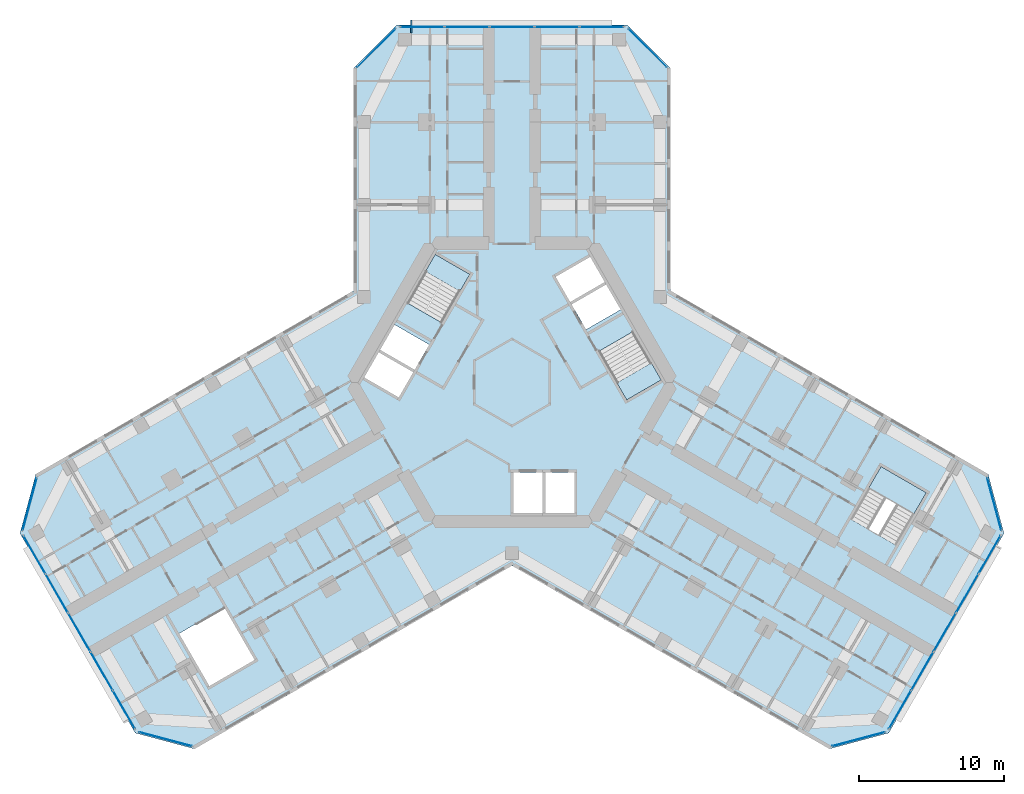
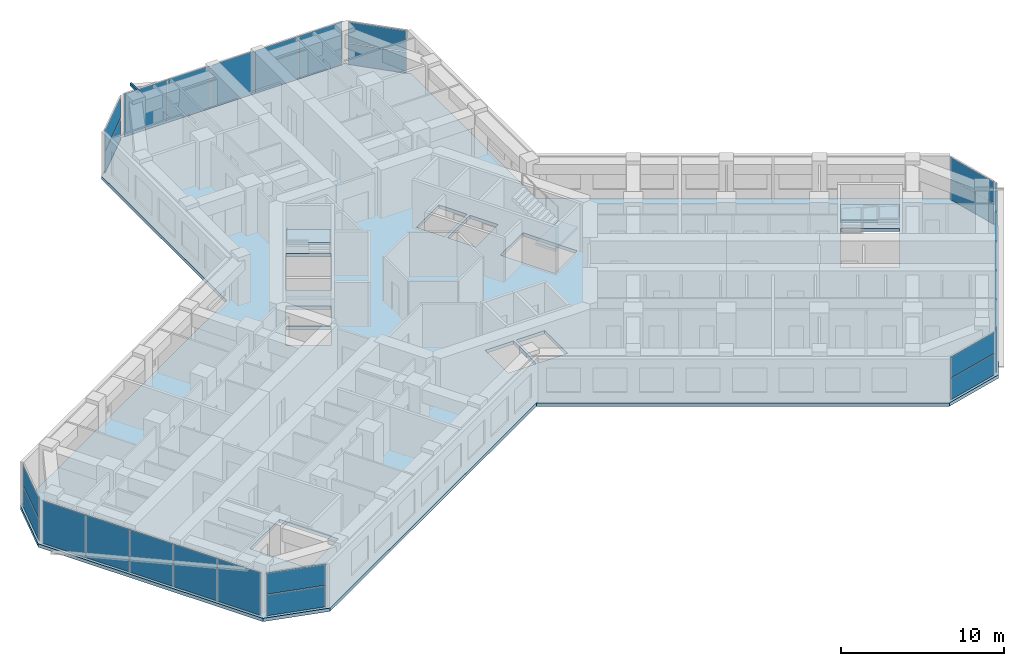
# One storey, part 9 of 20: 27 plates, 4 slabs, 1 member, 12 elements without a shape of their own.
"""IFC4 building model written with IfcOpenShell, lengths in metres."""

from ifc_helpers import new_model, si_unit, direction, frame, origin, origin_2d, place, context, subcontext, project, spatial, polyline, rectangle, hollow_rectangle, outline, extrude, material, layer, layer_set, material_profile, profile_set, type_object, element, aggregate, save


model = new_model("IFC4")

# Units and contexts
model_context = context("Model", 3, precision=1e-05, world=origin(), true_north=direction((0.0, 1.0)))
body_context = subcontext(model_context, "Body", "Model", "MODEL_VIEW")
ifc_project = project(units=[si_unit("LENGTHUNIT", "METRE"), si_unit("AREAUNIT", "SQUARE_METRE"), si_unit("VOLUMEUNIT", "CUBIC_METRE"), si_unit("PLANEANGLEUNIT", "RADIAN"), si_unit("MASSUNIT", "GRAM", prefix="KILO")], contexts=[model_context])

# Site, building, storey
site_placement = place(None, origin())
site = spatial("IfcSite", under=ifc_project, at=site_placement, CompositionType="ELEMENT")
building_placement = place(site_placement, origin())
building = spatial("IfcBuilding", under=site, at=building_placement, Name="Kosmar Iwan School Tower", CompositionType="ELEMENT")
storey_placement = place(building_placement, frame((0.0, 0.0, 183.199951171875)))
storey = spatial("IfcBuildingStorey", under=building, at=storey_placement, Name="L46", CompositionType="ELEMENT", Elevation=183.199951171875)

# Member
ifc_material_1 = material(Name="Steel S355", Category="steel")
ifc_material_profile = material_profile(ifc_material_1, hollow_rectangle(XDim=0.10009765625, YDim=0.199951171875, WallThickness=0.008056640625, at=origin_2d()), Name="RHS 200x100x8")
ifc_profile_set = profile_set([ifc_material_profile], Name="Steel S355")
member_type = type_object("IfcMemberType", Name="Fin bracket RHS 200x100", PredefinedType="USERDEFINED", material=ifc_profile_set)
member_placement = place(storey_placement, frame((-6.949951171875, 24.10009765625, 3.449951171875), z_axis=(0.0, 1.0, 0.0), x_axis=(-1.0, 0.0, 0.0)))
element("IfcMember", 1, at=member_placement, inside=storey, type_object=member_type, Name="Fin bracket L47", ObjectType="FIN BRACKET", PredefinedType="USERDEFINED", context=body_context, shape_type="SweptSolid", body=[
    extrude(hollow_rectangle(XDim=0.10009765625, YDim=0.199951171875, WallThickness=0.008056640625, at=origin_2d()), origin(), (0.0, 0.0, 1.0), 0.89990234375),
])

# Curtain wall, plates
ifc_material_2 = material(Name="Dark glass in black aluminium frame", Category="aluminium")
curtain_wall_type_1 = type_object("IfcCurtainWallType", Name="Chamfer curtain wall dark glass", PredefinedType="USERDEFINED", material=ifc_material_2)
curtain_wall_1_placement = place(storey_placement, origin())
curtain_wall_1 = element("IfcCurtainWall", 2, at=curtain_wall_1_placement, inside=storey, type_object=curtain_wall_type_1, Name="Curtain wall L46-F02", ObjectType="FACETED CURTAIN WALL", PredefinedType="USERDEFINED")
ifc_material_3 = material(Name="Dark glass", Category="glass")
ifc_layer_1 = layer(ifc_material_3, 0.028076171875)
ifc_layer_set_1 = layer_set([ifc_layer_1], Name="Dark glass panel 28")
plate_type = type_object("IfcPlateType", Name="Dark glass panel 28", PredefinedType="CURTAIN_PANEL", material=ifc_layer_set_1)
plate_1_placement = place(storey_placement, frame((23.908203125, -24.61328125, 0.06005859375), z_axis=(0.0, 0.0, 1.0), x_axis=(0.965925875495, 0.258818861462, 0.0)))
plate_1 = element("IfcPlate", 3, at=plate_1_placement, type_object=plate_type, Name="CW2 panel 1.1", PredefinedType="CURTAIN_PANEL", context=body_context, shape_type="SweptSolid", body=[
    extrude(rectangle(XDim=3.718994140625, YDim=0.028076171875, at=origin_2d()), origin(), (0.0, 0.0, 1.0), 1.56005859375),
])
plate_2_placement = place(storey_placement, frame((23.908203125, -24.61328125, 1.679931640625), z_axis=(0.0, 0.0, 1.0), x_axis=(0.965925875495, 0.258818861462, 0.0)))
plate_2 = element("IfcPlate", 4, at=plate_2_placement, type_object=plate_type, Name="CW2 panel 1.2", PredefinedType="CURTAIN_PANEL", context=body_context, shape_type="SweptSolid", body=[
    extrude(rectangle(XDim=3.718994140625, YDim=0.028076171875, at=origin_2d()), origin(), (0.0, 0.0, 1.0), 1.56005859375),
])
aggregate(curtain_wall_1, [plate_1, plate_2])

ifc_material_4 = material(Name="Dark glass in black aluminium frame", Category="aluminium")
curtain_wall_type_2 = type_object("IfcCurtainWallType", Name="Tower curtain wall dark glass", PredefinedType="USERDEFINED", material=ifc_material_4)
curtain_wall_2_placement = place(storey_placement, origin())
curtain_wall_2 = element("IfcCurtainWall", 5, at=curtain_wall_2_placement, inside=storey, type_object=curtain_wall_type_2, Name="Curtain wall L46-F03", ObjectType="UNITISED CURTAIN WALL", PredefinedType="USERDEFINED")
plate_3_placement = place(storey_placement, frame((26.764404296875, -22.592529296875, 0.06005859375), z_axis=(0.0, 0.0, 1.0), x_axis=(0.499999997325, 0.866025405329, 0.0)))
plate_3 = element("IfcPlate", 6, at=plate_3_placement, type_object=plate_type, Name="CW1 panel 1.1", PredefinedType="CURTAIN_PANEL", context=body_context, shape_type="SweptSolid", body=[
    extrude(rectangle(XDim=3.00927734375, YDim=0.028076171875, at=origin_2d()), origin(), (0.0, 0.0, 1.0), 3.179931640625),
])
plate_4_placement = place(storey_placement, frame((28.306640625, -19.921630859375, 0.06005859375), z_axis=(0.0, 0.0, 1.0), x_axis=(0.499999997325, 0.866025405329, 0.0)))
plate_4 = element("IfcPlate", 7, at=plate_4_placement, type_object=plate_type, Name="CW1 panel 2.1", PredefinedType="CURTAIN_PANEL", context=body_context, shape_type="SweptSolid", body=[
    extrude(rectangle(XDim=3.039306640625, YDim=0.028076171875, at=origin_2d()), origin(), (0.0, 0.0, 1.0), 3.179931640625),
])
plate_5_placement = place(storey_placement, frame((29.856201171875, -17.237548828125, 0.06005859375), z_axis=(0.0, 0.0, 1.0), x_axis=(0.499999997325, 0.866025405329, 0.0)))
plate_5 = element("IfcPlate", 8, at=plate_5_placement, type_object=plate_type, Name="CW1 panel 3.1", PredefinedType="CURTAIN_PANEL", context=body_context, shape_type="SweptSolid", body=[
    extrude(rectangle(XDim=3.039306640625, YDim=0.028076171875, at=origin_2d()), origin(), (0.0, 0.0, 1.0), 3.179931640625),
])
plate_6_placement = place(storey_placement, frame((31.40576171875, -14.553466796875, 0.06005859375), z_axis=(0.0, 0.0, 1.0), x_axis=(0.499999997325, 0.866025405329, 0.0)))
plate_6 = element("IfcPlate", 9, at=plate_6_placement, type_object=plate_type, Name="CW1 panel 4.1", PredefinedType="CURTAIN_PANEL", context=body_context, shape_type="SweptSolid", body=[
    extrude(rectangle(XDim=3.039306640625, YDim=0.028076171875, at=origin_2d()), origin(), (0.0, 0.0, 1.0), 3.179931640625),
])
plate_7_placement = place(storey_placement, frame((32.947998046875, -11.88232421875, 0.06005859375), z_axis=(0.0, 0.0, 1.0), x_axis=(0.499999997325, 0.866025405329, 0.0)))
plate_7 = element("IfcPlate", 10, at=plate_7_placement, type_object=plate_type, Name="CW1 panel 5.1", PredefinedType="CURTAIN_PANEL", context=body_context, shape_type="SweptSolid", body=[
    extrude(rectangle(XDim=3.00927734375, YDim=0.028076171875, at=origin_2d()), origin(), (0.0, 0.0, 1.0), 3.179931640625),
])
aggregate(curtain_wall_2, [plate_3, plate_4, plate_5, plate_6, plate_7])

curtain_wall_3_placement = place(storey_placement, origin())
curtain_wall_3 = element("IfcCurtainWall", 11, at=curtain_wall_3_placement, inside=storey, type_object=curtain_wall_type_1, Name="Curtain wall L46-F04", ObjectType="FACETED CURTAIN WALL", PredefinedType="USERDEFINED")
plate_8_placement = place(storey_placement, frame((33.269775390625, -8.3984375, 0.06005859375), z_axis=(0.0, 0.0, 1.0), x_axis=(-0.258818861462, 0.965925875495, 0.0)))
plate_8 = element("IfcPlate", 12, at=plate_8_placement, type_object=plate_type, Name="CW2 panel 1.1", PredefinedType="CURTAIN_PANEL", context=body_context, shape_type="SweptSolid", body=[
    extrude(rectangle(XDim=3.718994140625, YDim=0.028076171875, at=origin_2d()), origin(), (0.0, 0.0, 1.0), 1.56005859375),
])
plate_9_placement = place(storey_placement, frame((33.269775390625, -8.3984375, 1.679931640625), z_axis=(0.0, 0.0, 1.0), x_axis=(-0.258818861462, 0.965925875495, 0.0)))
plate_9 = element("IfcPlate", 13, at=plate_9_placement, type_object=plate_type, Name="CW2 panel 1.2", PredefinedType="CURTAIN_PANEL", context=body_context, shape_type="SweptSolid", body=[
    extrude(rectangle(XDim=3.718994140625, YDim=0.028076171875, at=origin_2d()), origin(), (0.0, 0.0, 1.0), 1.56005859375),
])
aggregate(curtain_wall_3, [plate_8, plate_9])

curtain_wall_4_placement = place(storey_placement, origin())
curtain_wall_4 = element("IfcCurtainWall", 14, at=curtain_wall_4_placement, inside=storey, type_object=curtain_wall_type_1, Name="Curtain wall L46-F07", ObjectType="FACETED CURTAIN WALL", PredefinedType="USERDEFINED")
plate_10_placement = place(storey_placement, frame((9.361572265625, 23.0615234375, 0.06005859375), z_axis=(0.0, 0.0, 1.0), x_axis=(-0.707106781187, 0.707106781187, 0.0)))
plate_10 = element("IfcPlate", 15, at=plate_10_placement, type_object=plate_type, Name="CW2 panel 1.1", PredefinedType="CURTAIN_PANEL", context=body_context, shape_type="SweptSolid", body=[
    extrude(rectangle(XDim=3.718994140625, YDim=0.028076171875, at=origin_2d()), origin(), (0.0, 0.0, 1.0), 1.56005859375),
])
plate_11_placement = place(storey_placement, frame((9.361572265625, 23.0615234375, 1.679931640625), z_axis=(0.0, 0.0, 1.0), x_axis=(-0.707106781187, 0.707106781187, 0.0)))
plate_11 = element("IfcPlate", 16, at=plate_11_placement, type_object=plate_type, Name="CW2 panel 1.2", PredefinedType="CURTAIN_PANEL", context=body_context, shape_type="SweptSolid", body=[
    extrude(rectangle(XDim=3.718994140625, YDim=0.028076171875, at=origin_2d()), origin(), (0.0, 0.0, 1.0), 1.56005859375),
])
aggregate(curtain_wall_4, [plate_10, plate_11])

curtain_wall_5_placement = place(storey_placement, origin())
curtain_wall_5 = element("IfcCurtainWall", 17, at=curtain_wall_5_placement, inside=storey, type_object=curtain_wall_type_2, Name="Curtain wall L46-F08", ObjectType="UNITISED CURTAIN WALL", PredefinedType="USERDEFINED")
plate_12_placement = place(storey_placement, frame((6.18359375, 24.52490234375, 0.06005859375), z_axis=(0.0, 0.0, 1.0), x_axis=(-1.0, 0.0, 0.0)))
plate_12 = element("IfcPlate", 18, at=plate_12_placement, type_object=plate_type, Name="CW1 panel 1.1", PredefinedType="CURTAIN_PANEL", context=body_context, shape_type="SweptSolid", body=[
    extrude(rectangle(XDim=3.00927734375, YDim=0.028076171875, at=origin_2d()), origin(), (0.0, 0.0, 1.0), 3.179931640625),
])
plate_13_placement = place(storey_placement, frame((3.099365234375, 24.52490234375, 0.06005859375), z_axis=(0.0, 0.0, 1.0), x_axis=(-1.0, 0.0, 0.0)))
plate_13 = element("IfcPlate", 19, at=plate_13_placement, type_object=plate_type, Name="CW1 panel 2.1", PredefinedType="CURTAIN_PANEL", context=body_context, shape_type="SweptSolid", body=[
    extrude(rectangle(XDim=3.039306640625, YDim=0.028076171875, at=origin_2d()), origin(), (0.0, 0.0, 1.0), 3.179931640625),
])
plate_14_placement = place(storey_placement, frame((0.0, 24.52490234375, 0.06005859375), z_axis=(0.0, 0.0, 1.0), x_axis=(-1.0, 0.0, 0.0)))
plate_14 = element("IfcPlate", 20, at=plate_14_placement, type_object=plate_type, Name="CW1 panel 3.1", PredefinedType="CURTAIN_PANEL", context=body_context, shape_type="SweptSolid", body=[
    extrude(rectangle(XDim=3.039306640625, YDim=0.028076171875, at=origin_2d()), origin(), (0.0, 0.0, 1.0), 3.179931640625),
])
plate_15_placement = place(storey_placement, frame((-3.099365234375, 24.52490234375, 0.06005859375), z_axis=(0.0, 0.0, 1.0), x_axis=(-1.0, 0.0, 0.0)))
plate_15 = element("IfcPlate", 21, at=plate_15_placement, type_object=plate_type, Name="CW1 panel 4.1", PredefinedType="CURTAIN_PANEL", context=body_context, shape_type="SweptSolid", body=[
    extrude(rectangle(XDim=3.039306640625, YDim=0.028076171875, at=origin_2d()), origin(), (0.0, 0.0, 1.0), 3.179931640625),
])
plate_16_placement = place(storey_placement, frame((-6.18359375, 24.52490234375, 0.06005859375), z_axis=(0.0, 0.0, 1.0), x_axis=(-1.0, 0.0, 0.0)))
plate_16 = element("IfcPlate", 22, at=plate_16_placement, type_object=plate_type, Name="CW1 panel 5.1", PredefinedType="CURTAIN_PANEL", context=body_context, shape_type="SweptSolid", body=[
    extrude(rectangle(XDim=3.00927734375, YDim=0.028076171875, at=origin_2d()), origin(), (0.0, 0.0, 1.0), 3.179931640625),
])
aggregate(curtain_wall_5, [plate_12, plate_13, plate_14, plate_15, plate_16])

curtain_wall_6_placement = place(storey_placement, origin())
curtain_wall_6 = element("IfcCurtainWall", 23, at=curtain_wall_6_placement, inside=storey, type_object=curtain_wall_type_1, Name="Curtain wall L46-F09", ObjectType="FACETED CURTAIN WALL", PredefinedType="USERDEFINED")
plate_17_placement = place(storey_placement, frame((-9.361572265625, 23.0615234375, 0.06005859375), z_axis=(0.0, 0.0, 1.0), x_axis=(-0.707106781187, -0.707106781187, 0.0)))
plate_17 = element("IfcPlate", 24, at=plate_17_placement, type_object=plate_type, Name="CW2 panel 1.1", PredefinedType="CURTAIN_PANEL", context=body_context, shape_type="SweptSolid", body=[
    extrude(rectangle(XDim=3.718994140625, YDim=0.028076171875, at=origin_2d()), origin(), (0.0, 0.0, 1.0), 1.56005859375),
])
plate_18_placement = place(storey_placement, frame((-9.361572265625, 23.0615234375, 1.679931640625), z_axis=(0.0, 0.0, 1.0), x_axis=(-0.707106781187, -0.707106781187, 0.0)))
plate_18 = element("IfcPlate", 25, at=plate_18_placement, type_object=plate_type, Name="CW2 panel 1.2", PredefinedType="CURTAIN_PANEL", context=body_context, shape_type="SweptSolid", body=[
    extrude(rectangle(XDim=3.718994140625, YDim=0.028076171875, at=origin_2d()), origin(), (0.0, 0.0, 1.0), 1.56005859375),
])
aggregate(curtain_wall_6, [plate_17, plate_18])

curtain_wall_7_placement = place(storey_placement, origin())
curtain_wall_7 = element("IfcCurtainWall", 26, at=curtain_wall_7_placement, inside=storey, type_object=curtain_wall_type_1, Name="Curtain wall L46-F12", ObjectType="FACETED CURTAIN WALL", PredefinedType="USERDEFINED")
plate_19_placement = place(storey_placement, frame((-33.269775390625, -8.3984375, 0.06005859375), z_axis=(0.0, 0.0, 1.0), x_axis=(-0.258818861462, -0.965925875495, 0.0)))
plate_19 = element("IfcPlate", 27, at=plate_19_placement, type_object=plate_type, Name="CW2 panel 1.1", PredefinedType="CURTAIN_PANEL", context=body_context, shape_type="SweptSolid", body=[
    extrude(rectangle(XDim=3.718994140625, YDim=0.028076171875, at=origin_2d()), origin(), (0.0, 0.0, 1.0), 1.56005859375),
])
plate_20_placement = place(storey_placement, frame((-33.269775390625, -8.3984375, 1.679931640625), z_axis=(0.0, 0.0, 1.0), x_axis=(-0.258818861462, -0.965925875495, 0.0)))
plate_20 = element("IfcPlate", 28, at=plate_20_placement, type_object=plate_type, Name="CW2 panel 1.2", PredefinedType="CURTAIN_PANEL", context=body_context, shape_type="SweptSolid", body=[
    extrude(rectangle(XDim=3.718994140625, YDim=0.028076171875, at=origin_2d()), origin(), (0.0, 0.0, 1.0), 1.56005859375),
])
aggregate(curtain_wall_7, [plate_19, plate_20])

curtain_wall_8_placement = place(storey_placement, origin())
curtain_wall_8 = element("IfcCurtainWall", 29, at=curtain_wall_8_placement, inside=storey, type_object=curtain_wall_type_2, Name="Curtain wall L46-F13", ObjectType="UNITISED CURTAIN WALL", PredefinedType="USERDEFINED")
plate_21_placement = place(storey_placement, frame((-32.947998046875, -11.88232421875, 0.06005859375), z_axis=(0.0, 0.0, 1.0), x_axis=(0.499999997325, -0.866025405329, 0.0)))
plate_21 = element("IfcPlate", 30, at=plate_21_placement, type_object=plate_type, Name="CW1 panel 1.1", PredefinedType="CURTAIN_PANEL", context=body_context, shape_type="SweptSolid", body=[
    extrude(rectangle(XDim=3.00927734375, YDim=0.028076171875, at=origin_2d()), origin(), (0.0, 0.0, 1.0), 3.179931640625),
])
plate_22_placement = place(storey_placement, frame((-31.40576171875, -14.553466796875, 0.06005859375), z_axis=(0.0, 0.0, 1.0), x_axis=(0.499999997325, -0.866025405329, 0.0)))
plate_22 = element("IfcPlate", 31, at=plate_22_placement, type_object=plate_type, Name="CW1 panel 2.1", PredefinedType="CURTAIN_PANEL", context=body_context, shape_type="SweptSolid", body=[
    extrude(rectangle(XDim=3.039306640625, YDim=0.028076171875, at=origin_2d()), origin(), (0.0, 0.0, 1.0), 3.179931640625),
])
plate_23_placement = place(storey_placement, frame((-29.856201171875, -17.237548828125, 0.06005859375), z_axis=(0.0, 0.0, 1.0), x_axis=(0.499999997325, -0.866025405329, 0.0)))
plate_23 = element("IfcPlate", 32, at=plate_23_placement, type_object=plate_type, Name="CW1 panel 3.1", PredefinedType="CURTAIN_PANEL", context=body_context, shape_type="SweptSolid", body=[
    extrude(rectangle(XDim=3.039306640625, YDim=0.028076171875, at=origin_2d()), origin(), (0.0, 0.0, 1.0), 3.179931640625),
])
plate_24_placement = place(storey_placement, frame((-28.306640625, -19.921630859375, 0.06005859375), z_axis=(0.0, 0.0, 1.0), x_axis=(0.499999997325, -0.866025405329, 0.0)))
plate_24 = element("IfcPlate", 33, at=plate_24_placement, type_object=plate_type, Name="CW1 panel 4.1", PredefinedType="CURTAIN_PANEL", context=body_context, shape_type="SweptSolid", body=[
    extrude(rectangle(XDim=3.039306640625, YDim=0.028076171875, at=origin_2d()), origin(), (0.0, 0.0, 1.0), 3.179931640625),
])
plate_25_placement = place(storey_placement, frame((-26.764404296875, -22.592529296875, 0.06005859375), z_axis=(0.0, 0.0, 1.0), x_axis=(0.499999997325, -0.866025405329, 0.0)))
plate_25 = element("IfcPlate", 34, at=plate_25_placement, type_object=plate_type, Name="CW1 panel 5.1", PredefinedType="CURTAIN_PANEL", context=body_context, shape_type="SweptSolid", body=[
    extrude(rectangle(XDim=3.00927734375, YDim=0.028076171875, at=origin_2d()), origin(), (0.0, 0.0, 1.0), 3.179931640625),
])
aggregate(curtain_wall_8, [plate_21, plate_22, plate_23, plate_24, plate_25])

curtain_wall_9_placement = place(storey_placement, origin())
curtain_wall_9 = element("IfcCurtainWall", 35, at=curtain_wall_9_placement, inside=storey, type_object=curtain_wall_type_1, Name="Curtain wall L46-F14", ObjectType="FACETED CURTAIN WALL", PredefinedType="USERDEFINED")
plate_26_placement = place(storey_placement, frame((-23.908203125, -24.61328125, 0.06005859375), z_axis=(0.0, 0.0, 1.0), x_axis=(0.965925875495, -0.258818861462, 0.0)))
plate_26 = element("IfcPlate", 36, at=plate_26_placement, type_object=plate_type, Name="CW2 panel 1.1", PredefinedType="CURTAIN_PANEL", context=body_context, shape_type="SweptSolid", body=[
    extrude(rectangle(XDim=3.718994140625, YDim=0.028076171875, at=origin_2d()), origin(), (0.0, 0.0, 1.0), 1.56005859375),
])
plate_27_placement = place(storey_placement, frame((-23.908203125, -24.61328125, 1.679931640625), z_axis=(0.0, 0.0, 1.0), x_axis=(0.965925875495, -0.258818861462, 0.0)))
plate_27 = element("IfcPlate", 37, at=plate_27_placement, type_object=plate_type, Name="CW2 panel 1.2", PredefinedType="CURTAIN_PANEL", context=body_context, shape_type="SweptSolid", body=[
    extrude(rectangle(XDim=3.718994140625, YDim=0.028076171875, at=origin_2d()), origin(), (0.0, 0.0, 1.0), 1.56005859375),
])
aggregate(curtain_wall_9, [plate_26, plate_27])

# Stair, slab
ifc_material_5 = material(Name="Concrete C35/45", Category="concrete")
stair_type_1 = type_object("IfcStairType", Name="Escape stair 3600", PredefinedType="HALF_TURN_STAIR", material=ifc_material_5)
stair_1_placement = place(storey_placement, origin())
stair_1 = element("IfcStair", 38, at=stair_1_placement, inside=storey, type_object=stair_type_1, Name="Stair WS3 L46", PredefinedType="HALF_TURN_STAIR")
ifc_material_6 = material(Name="Concrete C35/45", Category="concrete")
ifc_layer_2 = layer(ifc_material_6, 0.199951171875)
ifc_layer_set_2 = layer_set([ifc_layer_2], Name="Escape stair landing 200")
slab_type_1 = type_object("IfcSlabType", Name="Escape stair landing 200", PredefinedType="LANDING", material=ifc_layer_set_2)
slab_1_placement = place(storey_placement, frame((0.0, 0.0, 1.60009765625)))
slab_1 = element("IfcSlab", 39, at=slab_1_placement, type_object=slab_type_1, Name="WS3 landing 1", PredefinedType="LANDING", context=body_context, shape_type="SweptSolid", body=[
    extrude(outline(polyline([(24.607421875, -7.27880859375), (27.72509765625, -9.078857421875), (28.574951171875, -7.606689453125), (25.457275390625, -5.806640625), (24.607421875, -7.27880859375)])), origin(), (0.0, 0.0, 1.0), 0.199951171875),
])
aggregate(stair_1, [slab_1])

# Slab
ifc_material_7 = material(Name="Concrete C35/45", Category="concrete")
ifc_layer_3 = layer(ifc_material_7, 0.25)
ifc_layer_set_3 = layer_set([ifc_layer_3], Name="Floor slab 250")
slab_type_2 = type_object("IfcSlabType", Name="Floor slab 250", PredefinedType="FLOOR", material=ifc_layer_set_3)
slab_2_placement = place(storey_placement, frame((0.0, 0.0, -0.25)))
element("IfcSlab", 40, at=slab_2_placement, inside=storey, type_object=slab_type_2, Name="L46 floor slab", PredefinedType="FLOOR", context=body_context, shape_type="SweptSolid", body=[
    extrude(outline(polyline([(-21.891357421875, -25.282958984375), (0.0, -12.64404296875), (21.891357421875, -25.282958984375), (25.989501953125, -24.184814453125), (33.939453125, -10.4150390625), (32.84130859375, -6.317138671875), (10.949951171875, 6.322021484375), (10.949951171875, 21.64990234375), (7.949951171875, 24.64990234375), (-7.949951171875, 24.64990234375), (-10.949951171875, 21.64990234375), (-10.949951171875, 6.322021484375), (-32.84130859375, -6.317138671875), (-33.939453125, -10.4150390625), (-25.989501953125, -24.184814453125), (-21.891357421875, -25.282958984375)]), holes=[polyline([(7.91259765625, -1.205078125), (10.294189453125, 0.169921875), (8.3642578125, 3.5126953125), (5.982666015625, 2.1376953125), (7.91259765625, -1.205078125)]), polyline([(-2.91259765625, 7.455078125), (-5.294189453125, 8.830078125), (-7.22412109375, 5.4873046875), (-4.8427734375, 4.1123046875), (-2.91259765625, 7.455078125)]), polyline([(-5.712646484375, 2.60546875), (-8.09423828125, 3.98046875), (-9.09423828125, 2.248291015625), (-6.712646484375, 0.873291015625), (-5.712646484375, 2.60546875)]), polyline([(-6.812744140625, 0.7001953125), (-9.1943359375, 2.0751953125), (-10.1943359375, 0.343017578125), (-7.812744140625, -1.031982421875), (-6.812744140625, 0.7001953125)]), polyline([(5.112548828125, 3.64453125), (7.494140625, 5.01953125), (6.494140625, 6.751708984375), (4.112548828125, 5.376708984375), (5.112548828125, 3.64453125)]), polyline([(4.0126953125, 5.5498046875), (6.394287109375, 6.9248046875), (5.394287109375, 8.656982421875), (3.0126953125, 7.281982421875), (4.0126953125, 5.5498046875)]), polyline([(0.10009765625, -6.199951171875), (0.10009765625, -9.0), (2.10009765625, -9.0), (2.10009765625, -6.199951171875), (0.10009765625, -6.199951171875)]), polyline([(2.300048828125, -6.199951171875), (2.300048828125, -9.0), (4.300048828125, -9.0), (4.300048828125, -6.199951171875), (2.300048828125, -6.199951171875)]), polyline([(-19.847412109375, -15.5234375), (-22.965087890625, -17.323486328125), (-20.875, -20.943359375), (-17.75732421875, -19.143310546875), (-19.847412109375, -15.5234375)]), polyline([(23.367431640625, -9.426513671875), (26.485107421875, -11.2265625), (28.574951171875, -7.606689453125), (25.457275390625, -5.806640625), (23.367431640625, -9.426513671875)])]), origin(), (0.0, 0.0, 1.0), 0.25),
])

# Stair, slab
ifc_material_8 = material(Name="Concrete C35/45", Category="concrete")
stair_type_2 = type_object("IfcStairType", Name="Core stair 2750", PredefinedType="HALF_TURN_STAIR", material=ifc_material_8)
stair_2_placement = place(storey_placement, origin())
stair_2 = element("IfcStair", 41, at=stair_2_placement, inside=storey, type_object=stair_type_2, Name="Stair ST2 L46", PredefinedType="HALF_TURN_STAIR")
ifc_material_9 = material(Name="Concrete C35/45", Category="concrete")
ifc_layer_4 = layer(ifc_material_9, 0.199951171875)
ifc_layer_set_4 = layer_set([ifc_layer_4], Name="Stair landing 200")
slab_type_3 = type_object("IfcSlabType", Name="Stair landing 200", PredefinedType="LANDING", material=ifc_layer_set_4)
slab_3_placement = place(storey_placement, frame((0.0, 0.0, 1.60009765625)))
slab_3 = element("IfcSlab", 42, at=slab_3_placement, type_object=slab_type_3, Name="ST2 landing 1", PredefinedType="LANDING", context=body_context, shape_type="SweptSolid", body=[
    extrude(outline(polyline([(-2.91259765625, 7.455078125), (-5.294189453125, 8.830078125), (-5.97412109375, 7.65234375), (-3.5927734375, 6.27734375), (-2.91259765625, 7.455078125)])), origin(), (0.0, 0.0, 1.0), 0.199951171875),
])
aggregate(stair_2, [slab_3])

stair_3_placement = place(storey_placement, origin())
stair_3 = element("IfcStair", 43, at=stair_3_placement, inside=storey, type_object=stair_type_2, Name="Stair ST1 L46", PredefinedType="HALF_TURN_STAIR")
slab_4_placement = place(storey_placement, frame((0.0, 0.0, 1.60009765625)))
slab_4 = element("IfcSlab", 44, at=slab_4_placement, type_object=slab_type_3, Name="ST1 landing 1", PredefinedType="LANDING", context=body_context, shape_type="SweptSolid", body=[
    extrude(outline(polyline([(7.91259765625, -1.205078125), (10.294189453125, 0.169921875), (9.6142578125, 1.34765625), (7.232666015625, -0.02734375), (7.91259765625, -1.205078125)])), origin(), (0.0, 0.0, 1.0), 0.199951171875),
])
aggregate(stair_3, [slab_4])

save(model, "model.ifc")
